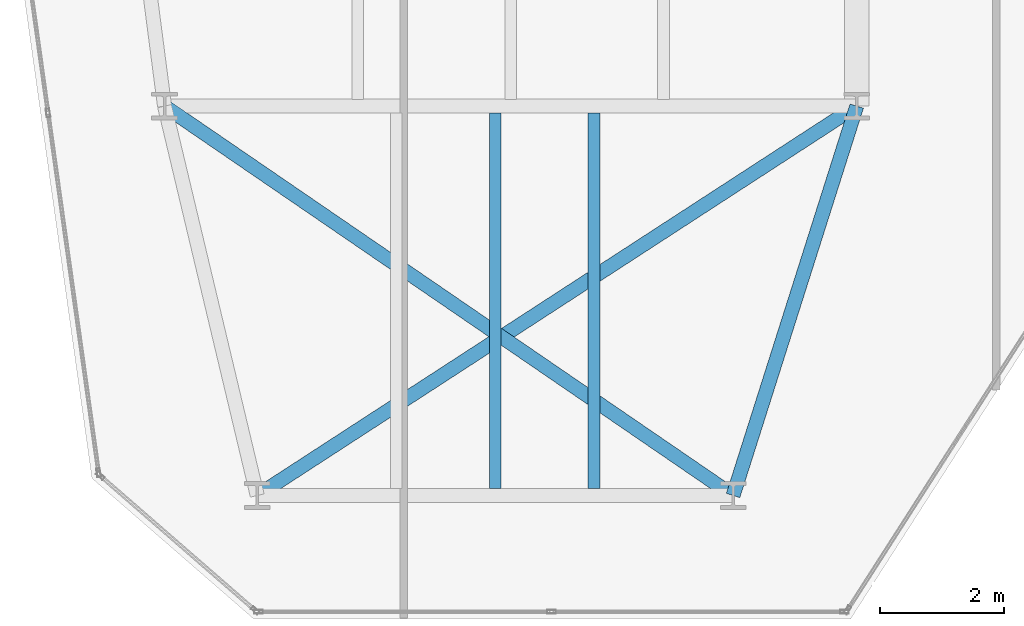
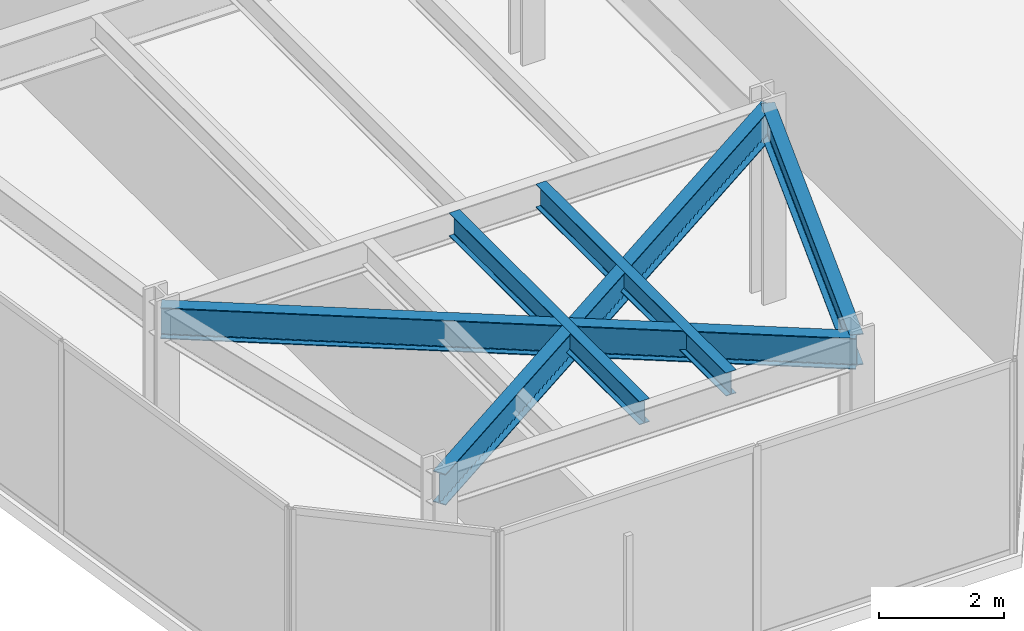
# One storey, part 4 of 26: 5 beams.
"""IFC4 building model written with IfcOpenShell, lengths in metres."""

from ifc_helpers import new_model, si_unit, direction, frame, origin, origin_2d, place, context, subcontext, project, spatial, i_section, extrude, material, material_profile, profile_set, type_object, element, save


model = new_model("IFC4")

# Units and contexts
model_context = context("Model", 3, precision=1e-05, world=origin(), true_north=direction((0.0, 1.0)))
body_context = subcontext(model_context, "Body", "Model", "MODEL_VIEW")
ifc_project = project(units=[si_unit("LENGTHUNIT", "METRE"), si_unit("AREAUNIT", "SQUARE_METRE"), si_unit("VOLUMEUNIT", "CUBIC_METRE"), si_unit("PLANEANGLEUNIT", "RADIAN"), si_unit("MASSUNIT", "GRAM", prefix="KILO")], contexts=[model_context])

# Site, building, storey
site_placement = place(None, origin())
site = spatial("IfcSite", under=ifc_project, at=site_placement, CompositionType="ELEMENT")
building_placement = place(site_placement, origin())
building = spatial("IfcBuilding", under=site, at=building_placement, Name="Kravanh Interchange Tower", CompositionType="ELEMENT")
storey_placement = place(building_placement, frame((0.0, 0.0, 128.0)))
storey = spatial("IfcBuildingStorey", under=building, at=storey_placement, Name="L30", CompositionType="ELEMENT", Elevation=128.0)

# Beams
ifc_material_1 = material(Name="Structural Steel S355", Category="steel")
ifc_material_profile_1 = material_profile(ifc_material_1, i_section(OverallWidth=0.18994140625, OverallDepth=0.45703125, WebThickness=0.009033203125, FlangeThickness=0.014404296875, FilletRadius=0.01806640625, at=origin_2d()), Name="W18X50")
ifc_profile_set_1 = profile_set([ifc_material_profile_1], Name="Structural Steel S355")
beam_type_1 = type_object("IfcBeamType", Name="Floor Joist W18X50 Structural Steel S355", PredefinedType="JOIST", material=ifc_profile_set_1)
for number, where, z_axis, x_axis, name in (
    (1, (21.35009765625, 8.30908203125, 3.521484375), (0.0, 1.0, 0.0), (-1.0, 0.0, 0.0), "L30 Secondary Floor Joist 2"),
    (2, (22.949951171875, 8.30908203125, 3.521484375), (0.0, 1.0, 0.0), (-1.0, 0.0, 0.0), "L30 Secondary Floor Joist 3"),
):
    element("IfcBeam", number, at=place(storey_placement, frame(where, z_axis=z_axis, x_axis=x_axis)), inside=storey, type_object=beam_type_1, Name=name, PredefinedType="JOIST", context=body_context, shape_type="SweptSolid", body=[
        extrude(i_section(OverallWidth=0.18994140625, OverallDepth=0.45703125, WebThickness=0.009033203125, FlangeThickness=0.014404296875, FilletRadius=0.01806640625, at=origin_2d()), origin(), (0.0, 0.0, 1.0), 6.08203125),
    ])
ifc_material_2 = material(Name="Structural Steel S355", Category="steel")
ifc_material_profile_2 = material_profile(ifc_material_2, i_section(OverallWidth=0.22802734375, OverallDepth=0.60791015625, WebThickness=0.01123046875, FlangeThickness=0.017333984375, FilletRadius=0.02197265625, at=origin_2d()), Name="W24X76")
ifc_profile_set_2 = profile_set([ifc_material_profile_2], Name="Structural Steel S355")
beam_type_2 = type_object("IfcBeamType", Name="Floor Spandrel W24X76 Structural Steel S355", PredefinedType="SPANDREL", material=ifc_profile_set_2)
beam_1_placement = place(storey_placement, frame((17.5, 8.199951171875, 3.446044921875), z_axis=(0.838637911458, 0.544689318295, 0.0), x_axis=(-0.544689318295, 0.838637911458, 0.0)))
element("IfcBeam", 3, at=beam_1_placement, inside=storey, type_object=beam_type_2, Name="L30 Perimeter Spandrel 36", PredefinedType="SPANDREL", context=body_context, shape_type="SweptSolid", body=[
    extrude(i_section(OverallWidth=0.22802734375, OverallDepth=0.60791015625, WebThickness=0.01123046875, FlangeThickness=0.017333984375, FilletRadius=0.02197265625, at=origin_2d()), origin(), (0.0, 0.0, 1.0), 11.56640625),
])
beam_2_placement = place(storey_placement, frame((25.199951171875, 8.199951171875, 3.446044921875), z_axis=(0.30257700201, 0.953124943465, 0.0), x_axis=(-0.953124943465, 0.30257700201, 0.0)))
element("IfcBeam", 4, at=beam_2_placement, inside=storey, type_object=beam_type_2, Name="L30 Perimeter Spandrel 76", PredefinedType="SPANDREL", context=body_context, shape_type="SweptSolid", body=[
    extrude(i_section(OverallWidth=0.22802734375, OverallDepth=0.60791015625, WebThickness=0.01123046875, FlangeThickness=0.017333984375, FilletRadius=0.02197265625, at=origin_2d()), origin(), (0.0, 0.0, 1.0), 6.60986328125),
])
beam_3_placement = place(storey_placement, frame((25.199951171875, 8.199951171875, 3.446044921875), z_axis=(-0.825083781107, 0.565010401811, 0.0), x_axis=(-0.565010401811, -0.825083781107, 0.0)))
element("IfcBeam", 5, at=beam_3_placement, inside=storey, type_object=beam_type_2, Name="L30 Perimeter Spandrel 77", PredefinedType="SPANDREL", context=body_context, shape_type="SweptSolid", body=[
    extrude(i_section(OverallWidth=0.22802734375, OverallDepth=0.60791015625, WebThickness=0.01123046875, FlangeThickness=0.017333984375, FilletRadius=0.02197265625, at=origin_2d()), origin(), (0.0, 0.0, 1.0), 11.150390625),
])

save(model, "model.ifc")
